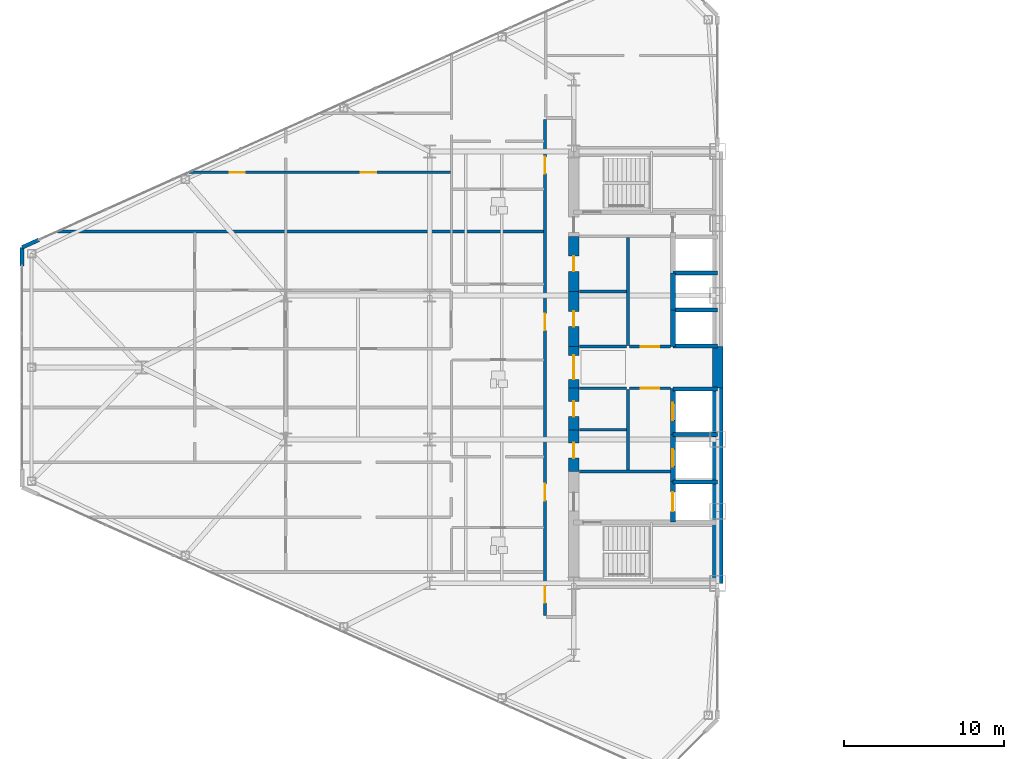
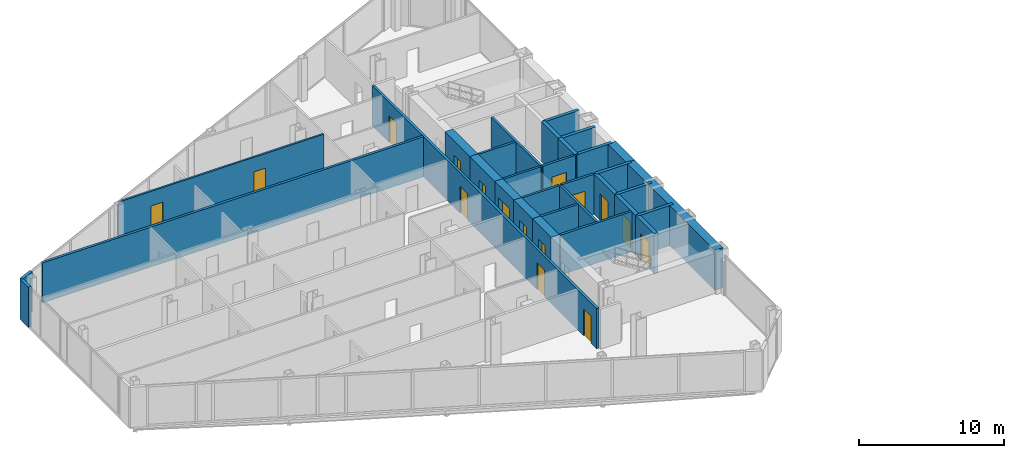
# One storey, part 20 of 27: 32 walls, 16 doors, 16 openings.
"""IFC4 building model written with IfcOpenShell, lengths in metres."""

from ifc_helpers import new_model, si_unit, direction, frame, frame_2d, origin, place, context, subcontext, project, spatial, rectangle, extrude, source, transform, mapped, material, layer, layer_set, type_object, type_shapes, element, fill, save


model = new_model("IFC4")

# Units and contexts
model_context = context("Model", 3, precision=1e-05, world=origin(), true_north=direction((0.0, 1.0)))
body_context = subcontext(model_context, "Body", "Model", "MODEL_VIEW")
ifc_project = project(units=[si_unit("LENGTHUNIT", "METRE"), si_unit("AREAUNIT", "SQUARE_METRE"), si_unit("VOLUMEUNIT", "CUBIC_METRE"), si_unit("PLANEANGLEUNIT", "RADIAN"), si_unit("MASSUNIT", "GRAM", prefix="KILO")], contexts=[model_context])

# Site, building, storey
site_placement = place(None, origin())
site = spatial("IfcSite", under=ifc_project, at=site_placement, CompositionType="ELEMENT")
building_placement = place(site_placement, origin())
building = spatial("IfcBuilding", under=site, at=building_placement, Name="Seokmaru Belvedere", CompositionType="ELEMENT")
storey_placement = place(building_placement, frame((0.0, 0.0, 96.0)))
storey = spatial("IfcBuildingStorey", under=building, at=storey_placement, Name="L25", CompositionType="ELEMENT", Elevation=96.0)

# Wall, openings, doors
ifc_material_1 = material(Name="Fire-Rated Gypsum Shaftwall")
ifc_layer_1 = layer(ifc_material_1, 0.14990234375)
ifc_layer_set_1 = layer_set([ifc_layer_1], Name="Fire-Rated Gypsum Shaftwall")
wall_type_1 = type_object("IfcWallType", Name="Apartment Fire-Acoustic Room Partition 150", PredefinedType="PARTITIONING", material=ifc_layer_set_1)
wall_1_placement = place(storey_placement, frame((-60.60302734375, 12.18994140625, 0.0), z_axis=(0.0, 0.0, 1.0), x_axis=(1.0, 0.0, 0.0)))
wall_1 = element("IfcWall", 1, at=wall_1_placement, inside=storey, type_object=wall_type_1, Name="L25 Interior Partition 024", PredefinedType="PARTITIONING", context=body_context, shape_type="SweptSolid", body=[
    extrude(rectangle(XDim=16.403076171875, YDim=0.14990234375, at=frame_2d((8.20166015625, 0.0))), origin(), (0.0, 0.0, 1.0), 3.3798828125),
])
opening_1_placement = place(wall_1_placement, frame((10.802978515625, 0.0, 0.0)))
opening_1 = element("IfcOpeningElement", 2, at=opening_1_placement, cuts=wall_1, Name="Opening D05", PredefinedType="OPENING", context=body_context, shape_type="SweptSolid", body=[
    extrude(rectangle(XDim=0.949951171875, YDim=2.14990234375, at=frame_2d((0.47509765625, 1.074951171875))), frame((0.0, 0.0849609375, 0.0), z_axis=(0.0, -1.0, 0.0), x_axis=(1.0, 0.0, 0.0)), (0.0, 0.0, 1.0), 0.169921875),
])
opening_2_placement = place(wall_1_placement, frame((2.59375, 0.0, 0.0)))
opening_2 = element("IfcOpeningElement", 3, at=opening_2_placement, cuts=wall_1, Name="Opening D05", PredefinedType="OPENING", context=body_context, shape_type="SweptSolid", body=[
    extrude(rectangle(XDim=0.949951171875, YDim=2.14990234375, at=frame_2d((0.47509765625, 1.074951171875))), frame((0.0, 0.0849609375, 0.0), z_axis=(0.0, -1.0, 0.0), x_axis=(1.0, 0.0, 0.0)), (0.0, 0.0, 1.0), 0.169921875),
])
ifc_material_2 = material(Name="Engineered White Oak Timber", Category="wood")
door_type_1 = type_object("IfcDoorType", Name="Apartment Interior Fire-Rated Oak Door 950x2150", OperationType="NOTDEFINED", PredefinedType="DOOR", material=ifc_material_2)
shared_shape_1 = source(origin(), body_context, "Body", "SweptSolid", [
    extrude(rectangle(XDim=0.949951171875, YDim=2.14990234375, at=frame_2d((0.47509765625, 1.074951171875))), frame((0.0, 0.02490234375, 0.0), z_axis=(0.0, -1.0, 0.0), x_axis=(1.0, 0.0, 0.0)), (0.0, 0.0, 1.0), 0.050048828125),
])
type_shapes(door_type_1, [shared_shape_1])
door_1_placement = place(opening_1_placement, origin())
door_1 = element("IfcDoor", 4, at=door_1_placement, inside=storey, type_object=door_type_1, Name="L25 Interior Door 029", OperationType="SINGLE_SWING_RIGHT", OverallHeight=2.14990234375, OverallWidth=0.949951171875, PredefinedType="DOOR", context=body_context, shape_type="MappedRepresentation", body=[
    mapped(shared_shape_1, transform((0.0, 0.0, 0.0), scale=1.0)),
])
fill(opening_1, door_1)
door_2_placement = place(opening_2_placement, origin())
door_2 = element("IfcDoor", 5, at=door_2_placement, inside=storey, type_object=door_type_1, Name="L25 Interior Door 031", OperationType="SINGLE_SWING_RIGHT", OverallHeight=2.14990234375, OverallWidth=0.949951171875, PredefinedType="DOOR", context=body_context, shape_type="MappedRepresentation", body=[
    mapped(shared_shape_1, transform((0.0, 0.0, 0.0), scale=1.0)),
])
fill(opening_2, door_2)

# Walls
ifc_layer_2 = layer(ifc_material_1, 0.179931640625)
ifc_layer_set_2 = layer_set([ifc_layer_2], Name="Fire-Rated Gypsum Shaftwall")
wall_type_2 = type_object("IfcWallType", Name="Core Service Fire Partition 180", PredefinedType="PARTITIONING", material=ifc_layer_set_2)
wall_2_placement = place(storey_placement, frame((-36.14990234375, -6.5, 0.0), z_axis=(0.0, 0.0, 1.0), x_axis=(1.0, 0.0, 0.0)))
element("IfcWall", 6, at=wall_2_placement, inside=storey, type_object=wall_type_2, Name="L25 West Firefighting Lobby Partition", PredefinedType="PARTITIONING", context=body_context, shape_type="SweptSolid", body=[
    extrude(rectangle(XDim=5.699951171875, YDim=0.179931640625, at=frame_2d((2.85009765625, 0.0))), origin(), (0.0, 0.0, 1.0), 3.3798828125),
])
wall_3_placement = place(storey_placement, frame((-33.10009765625, -6.419921875, 0.0), z_axis=(0.0, 0.0, 1.0), x_axis=(0.0, 1.0, 0.0)))
element("IfcWall", 7, at=wall_3_placement, inside=storey, type_object=wall_type_2, Name="L25 West South Core Service Back Wall", PredefinedType="PARTITIONING", context=body_context, shape_type="SweptSolid", body=[
    extrude(rectangle(XDim=5.0400390625, YDim=0.179931640625, at=frame_2d((2.52001953125, 0.0))), origin(), (0.0, 0.0, 1.0), 3.3798828125),
])
wall_4_placement = place(storey_placement, frame((-33.10009765625, 1.3798828125, 0.0), z_axis=(0.0, 0.0, 1.0), x_axis=(0.0, 1.0, 0.0)))
element("IfcWall", 8, at=wall_4_placement, inside=storey, type_object=wall_type_2, Name="L25 West North Core Service Back Wall", PredefinedType="PARTITIONING", context=body_context, shape_type="SweptSolid", body=[
    extrude(rectangle(XDim=6.740234375, YDim=0.179931640625, at=frame_2d((3.3701171875, 0.0))), origin(), (0.0, 0.0, 1.0), 3.3798828125),
])

# Wall, opening, door
wall_5_placement = place(storey_placement, frame((-33.02001953125, -1.300048828125, 0.0), z_axis=(0.0, 0.0, 1.0), x_axis=(1.0, 0.0, 0.0)))
wall_5 = element("IfcWall", 9, at=wall_5_placement, inside=storey, type_object=wall_type_2, Name="L25 West South Lift Lobby Foyer Wall", PredefinedType="PARTITIONING", context=body_context, shape_type="SweptSolid", body=[
    extrude(rectangle(XDim=2.570068359375, YDim=0.179931640625, at=frame_2d((1.28515625, 0.0))), origin(), (0.0, 0.0, 1.0), 3.3798828125),
])
opening_3_placement = place(wall_5_placement, frame((0.7099609375, 0.0, 0.0)))
opening_3 = element("IfcOpeningElement", 10, at=opening_3_placement, cuts=wall_5, Name="Opening D02", PredefinedType="OPENING", context=body_context, shape_type="SweptSolid", body=[
    extrude(rectangle(XDim=1.14990234375, YDim=2.199951171875, at=frame_2d((0.574951171875, 1.10009765625))), frame((0.0, 0.10009765625, 0.0), z_axis=(0.0, -1.0, 0.0), x_axis=(1.0, 0.0, 0.0)), (0.0, 0.0, 1.0), 0.199951171875),
])
ifc_material_3 = material(Name="Fire-Rated Steel Leaf", Category="steel")
door_type_2 = type_object("IfcDoorType", Name="Lobby and Vestibule Fire Door 1150x2200", OperationType="NOTDEFINED", PredefinedType="DOOR", material=ifc_material_3)
shared_shape_2 = source(origin(), body_context, "Body", "SweptSolid", [
    extrude(rectangle(XDim=1.14990234375, YDim=2.199951171875, at=frame_2d((0.574951171875, 1.10009765625))), frame((0.0, 0.02490234375, 0.0), z_axis=(0.0, -1.0, 0.0), x_axis=(1.0, 0.0, 0.0)), (0.0, 0.0, 1.0), 0.050048828125),
])
type_shapes(door_type_2, [shared_shape_2])
door_3_placement = place(opening_3_placement, origin())
door_3 = element("IfcDoor", 11, at=door_3_placement, inside=storey, type_object=door_type_2, Name="L25 West South Core Foyer Door", OperationType="SINGLE_SWING_LEFT", OverallHeight=2.199951171875, OverallWidth=1.14990234375, PredefinedType="DOOR", context=body_context, shape_type="MappedRepresentation", body=[
    mapped(shared_shape_2, transform((0.0, 0.0, 0.0), scale=1.0)),
])
fill(opening_3, door_3)

wall_6_placement = place(storey_placement, frame((-33.02001953125, 1.300048828125, 0.0), z_axis=(0.0, 0.0, 1.0), x_axis=(1.0, 0.0, 0.0)))
wall_6 = element("IfcWall", 12, at=wall_6_placement, inside=storey, type_object=wall_type_2, Name="L25 West North Lift Lobby Foyer Wall", PredefinedType="PARTITIONING", context=body_context, shape_type="SweptSolid", body=[
    extrude(rectangle(XDim=2.570068359375, YDim=0.179931640625, at=frame_2d((1.28515625, 0.0))), origin(), (0.0, 0.0, 1.0), 3.3798828125),
])
opening_4_placement = place(wall_6_placement, frame((0.7099609375, 0.0, 0.0)))
opening_4 = element("IfcOpeningElement", 13, at=opening_4_placement, cuts=wall_6, Name="Opening D02", PredefinedType="OPENING", context=body_context, shape_type="SweptSolid", body=[
    extrude(rectangle(XDim=1.14990234375, YDim=2.199951171875, at=frame_2d((0.574951171875, 1.10009765625))), frame((0.0, 0.10009765625, 0.0), z_axis=(0.0, -1.0, 0.0), x_axis=(1.0, 0.0, 0.0)), (0.0, 0.0, 1.0), 0.199951171875),
])
door_4_placement = place(opening_4_placement, origin())
door_4 = element("IfcDoor", 14, at=door_4_placement, inside=storey, type_object=door_type_2, Name="L25 West North Lift Lobby Door", OperationType="SINGLE_SWING_RIGHT", OverallHeight=2.199951171875, OverallWidth=1.14990234375, PredefinedType="DOOR", context=body_context, shape_type="MappedRepresentation", body=[
    mapped(shared_shape_2, transform((0.0, 0.0, 0.0), scale=1.0)),
])
fill(opening_4, door_4)

# Walls
for number, where, z_axis, x_axis, name in (
    (15, (-36.14990234375, -1.300048828125, 0.0), (0.0, 0.0, 1.0), (1.0, 0.0, 0.0), "L25 West Foyer Side Wall S"),
    (16, (-36.14990234375, 1.300048828125, 0.0), (0.0, 0.0, 1.0), (1.0, 0.0, 0.0), "L25 West Foyer Side Wall N"),
    (17, (-36.14990234375, -3.89990234375, 0.0), (0.0, 0.0, 1.0), (1.0, 0.0, 0.0), "L25 West Core Service Partition 1"),
    (18, (-36.14990234375, 4.75, 0.0), (0.0, 0.0, 1.0), (1.0, 0.0, 0.0), "L25 West Core Service Partition 2"),
):
    element("IfcWall", number, at=place(storey_placement, frame(where, z_axis=z_axis, x_axis=x_axis)), inside=storey, type_object=wall_type_2, Name=name, PredefinedType="PARTITIONING", context=body_context, shape_type="SweptSolid", body=[
        extrude(rectangle(XDim=2.949951171875, YDim=0.179931640625, at=frame_2d((1.47509765625, 0.0))), origin(), (0.0, 0.0, 1.0), 3.3798828125),
    ])
ifc_material_4 = material(Name="Concrete C50 (50 MPa)", Category="concrete")
ifc_layer_3 = layer(ifc_material_4, 0.25)
ifc_layer_set_3 = layer_set([ifc_layer_3], Name="Concrete C50 (50 MPa)")
wall_type_3 = type_object("IfcWallType", Name="Hoistway Transverse Concrete Divider Wall 250", PredefinedType="SHEAR", material=ifc_layer_set_3)
for number, where, z_axis, x_axis, name in (
    (19, (-30.300048828125, -7.14990234375, 0.0), (0.0, 0.0, 1.0), (1.0, 0.0, 0.0), "L25 West Hoistway Divider Core Wall 1"),
    (20, (-30.300048828125, -4.199951171875, 0.0), (0.0, 0.0, 1.0), (1.0, 0.0, 0.0), "L25 West Hoistway Divider Core Wall 2"),
    (21, (-30.300048828125, -1.35009765625, 0.0), (0.0, 0.0, 1.0), (1.0, 0.0, 0.0), "L25 West Hoistway Divider Core Wall 3"),
    (22, (-30.300048828125, 1.35009765625, 0.0), (0.0, 0.0, 1.0), (1.0, 0.0, 0.0), "L25 West Hoistway Divider Core Wall 4"),
    (23, (-30.300048828125, 3.60009765625, 0.0), (0.0, 0.0, 1.0), (1.0, 0.0, 0.0), "L25 West Hoistway Divider Core Wall 5"),
    (24, (-30.300048828125, 5.89990234375, 0.0), (0.0, 0.0, 1.0), (1.0, 0.0, 0.0), "L25 West Hoistway Divider Core Wall 6"),
):
    element("IfcWall", number, at=place(storey_placement, frame(where, z_axis=z_axis, x_axis=x_axis)), inside=storey, type_object=wall_type_3, Name=name, PredefinedType="SHEAR", context=body_context, shape_type="SweptSolid", body=[
        extrude(rectangle(XDim=2.800048828125, YDim=0.25, at=frame_2d((1.39990234375, 0.0))), origin(), (0.0, 0.0, 1.0), 3.3798828125),
    ])
ifc_layer_4 = layer(ifc_material_1, 0.199951171875)
ifc_layer_set_4 = layer_set([ifc_layer_4], Name="Fire-Rated Gypsum Shaftwall")
wall_type_4 = type_object("IfcWallType", Name="Inter-Tenancy Fire Compartment Partition 200", PredefinedType="PARTITIONING", material=ifc_layer_set_4)
wall_7_placement = place(storey_placement, frame((-68.7900390625, 8.5, 0.0), z_axis=(0.0, 0.0, 1.0), x_axis=(1.0, 0.0, 0.0)))
element("IfcWall", 25, at=wall_7_placement, inside=storey, type_object=wall_type_4, Name="L25 Interior Partition 021", PredefinedType="PARTITIONING", context=body_context, shape_type="SweptSolid", body=[
    extrude(rectangle(XDim=30.41015625, YDim=0.199951171875, at=frame_2d((15.205078125, 0.0))), origin(), (0.0, 0.0, 1.0), 3.3798828125),
])

# Wall, openings, doors
wall_8_placement = place(storey_placement, frame((-38.300048828125, -15.514892578125, 0.0), z_axis=(0.0, 0.0, 1.0), x_axis=(0.0, 1.0, 0.0)))
wall_8 = element("IfcWall", 26, at=wall_8_placement, inside=storey, type_object=wall_type_4, Name="L25 Interior Partition 039", PredefinedType="PARTITIONING", context=body_context, shape_type="SweptSolid", body=[
    extrude(rectangle(XDim=31.02978515625, YDim=0.199951171875, at=frame_2d((15.514892578125, 0.0))), origin(), (0.0, 0.0, 1.0), 3.3798828125),
])
opening_5_placement = place(wall_8_placement, frame((0.7900390625, 0.0, 0.0)))
opening_5 = element("IfcOpeningElement", 27, at=opening_5_placement, cuts=wall_8, Name="Opening D03", PredefinedType="OPENING", context=body_context, shape_type="SweptSolid", body=[
    extrude(rectangle(XDim=1.050048828125, YDim=2.25, at=frame_2d((0.52490234375, 1.125))), frame((0.0, 0.10986328125, 0.0), z_axis=(0.0, -1.0, 0.0), x_axis=(1.0, 0.0, 0.0)), (0.0, 0.0, 1.0), 0.219970703125),
])
opening_6_placement = place(wall_8_placement, frame((7.185546875, 0.0, 0.0)))
opening_6 = element("IfcOpeningElement", 28, at=opening_6_placement, cuts=wall_8, Name="Opening D03", PredefinedType="OPENING", context=body_context, shape_type="SweptSolid", body=[
    extrude(rectangle(XDim=1.050048828125, YDim=2.25, at=frame_2d((0.52490234375, 1.125))), frame((0.0, 0.10986328125, 0.0), z_axis=(0.0, -1.0, 0.0), x_axis=(1.0, 0.0, 0.0)), (0.0, 0.0, 1.0), 0.219970703125),
])
opening_7_placement = place(wall_8_placement, frame((17.824951171875, 0.0, 0.0)))
opening_7 = element("IfcOpeningElement", 29, at=opening_7_placement, cuts=wall_8, Name="Opening D03", PredefinedType="OPENING", context=body_context, shape_type="SweptSolid", body=[
    extrude(rectangle(XDim=1.050048828125, YDim=2.25, at=frame_2d((0.52490234375, 1.125))), frame((0.0, 0.10986328125, 0.0), z_axis=(0.0, -1.0, 0.0), x_axis=(1.0, 0.0, 0.0)), (0.0, 0.0, 1.0), 0.219970703125),
])
opening_8_placement = place(wall_8_placement, frame((27.635009765625, 0.0, 0.0)))
opening_8 = element("IfcOpeningElement", 30, at=opening_8_placement, cuts=wall_8, Name="Opening D03", PredefinedType="OPENING", context=body_context, shape_type="SweptSolid", body=[
    extrude(rectangle(XDim=1.050048828125, YDim=2.25, at=frame_2d((0.52490234375, 1.125))), frame((0.0, 0.10986328125, 0.0), z_axis=(0.0, -1.0, 0.0), x_axis=(1.0, 0.0, 0.0)), (0.0, 0.0, 1.0), 0.219970703125),
])
door_type_3 = type_object("IfcDoorType", Name="Apartment Entrance Fire Door 1050x2250", OperationType="NOTDEFINED", PredefinedType="DOOR", material=ifc_material_3)
shared_shape_3 = source(origin(), body_context, "Body", "SweptSolid", [
    extrude(rectangle(XDim=1.050048828125, YDim=2.25, at=frame_2d((0.52490234375, 1.125))), frame((0.0, 0.02490234375, 0.0), z_axis=(0.0, -1.0, 0.0), x_axis=(1.0, 0.0, 0.0)), (0.0, 0.0, 1.0), 0.050048828125),
])
type_shapes(door_type_3, [shared_shape_3])
door_5_placement = place(opening_5_placement, origin())
door_5 = element("IfcDoor", 31, at=door_5_placement, inside=storey, type_object=door_type_3, Name="L25 Interior Door 001", OperationType="SINGLE_SWING_RIGHT", OverallHeight=2.25, OverallWidth=1.050048828125, PredefinedType="DOOR", context=body_context, shape_type="MappedRepresentation", body=[
    mapped(shared_shape_3, transform((0.0, 0.0, 0.0), scale=1.0)),
])
fill(opening_5, door_5)
door_6_placement = place(opening_6_placement, origin())
door_6 = element("IfcDoor", 32, at=door_6_placement, inside=storey, type_object=door_type_3, Name="L25 Interior Door 002", OperationType="SINGLE_SWING_LEFT", OverallHeight=2.25, OverallWidth=1.050048828125, PredefinedType="DOOR", context=body_context, shape_type="MappedRepresentation", body=[
    mapped(shared_shape_3, transform((0.0, 0.0, 0.0), scale=1.0)),
])
fill(opening_6, door_6)
door_7_placement = place(opening_7_placement, origin())
door_7 = element("IfcDoor", 33, at=door_7_placement, inside=storey, type_object=door_type_3, Name="L25 Interior Door 012", OperationType="SINGLE_SWING_RIGHT", OverallHeight=2.25, OverallWidth=1.050048828125, PredefinedType="DOOR", context=body_context, shape_type="MappedRepresentation", body=[
    mapped(shared_shape_3, transform((0.0, 0.0, 0.0), scale=1.0)),
])
fill(opening_7, door_7)
door_8_placement = place(opening_8_placement, origin())
door_8 = element("IfcDoor", 34, at=door_8_placement, inside=storey, type_object=door_type_3, Name="L25 Interior Door 024", OperationType="SINGLE_SWING_LEFT", OverallHeight=2.25, OverallWidth=1.050048828125, PredefinedType="DOOR", context=body_context, shape_type="MappedRepresentation", body=[
    mapped(shared_shape_3, transform((0.0, 0.0, 0.0), scale=1.0)),
])
fill(opening_8, door_8)

# Wall, opening, door
ifc_layer_5 = layer(ifc_material_4, 0.300048828125)
ifc_layer_set_5 = layer_set([ifc_layer_5], Name="Concrete C50 (50 MPa)")
wall_type_5 = type_object("IfcWallType", Name="Internal Core Stair and Hoistway Wall 300", PredefinedType="SHEAR", material=ifc_layer_set_5)
wall_9_placement = place(storey_placement, frame((-30.300048828125, -9.679931640625, 0.0), z_axis=(0.0, 0.0, 1.0), x_axis=(0.0, 1.0, 0.0)))
wall_9 = element("IfcWall", 35, at=wall_9_placement, inside=storey, type_object=wall_type_5, Name="L25 West Firefighting Lift Shaft Front Wall", PredefinedType="SHEAR", context=body_context, shape_type="SweptSolid", body=[
    extrude(rectangle(XDim=2.559814453125, YDim=0.300048828125, at=frame_2d((1.27978515625, 0.0))), origin(), (0.0, 0.0, 1.0), 3.3798828125),
])
opening_9_placement = place(wall_9_placement, frame((0.679931640625, 0.0, 0.0)))
opening_9 = element("IfcOpeningElement", 36, at=opening_9_placement, cuts=wall_9, Name="Opening LD2", PredefinedType="OPENING", context=body_context, shape_type="SweptSolid", body=[
    extrude(rectangle(XDim=1.199951171875, YDim=2.25, at=frame_2d((0.60009765625, 1.125))), frame((0.0, 0.16015625, 0.0), z_axis=(0.0, -1.0, 0.0), x_axis=(1.0, 0.0, 0.0)), (0.0, 0.0, 1.0), 0.320068359375),
])
ifc_material_5 = material(Name="Stainless Steel 316", Category="steel")
door_type_4 = type_object("IfcDoorType", Name="Firefighting Lift Sliding Landing Door 1200x2250", OperationType="DOUBLE_DOOR_SLIDING", PredefinedType="DOOR", material=ifc_material_5)
shared_shape_4 = source(origin(), body_context, "Body", "SweptSolid", [
    extrude(rectangle(XDim=1.199951171875, YDim=2.25, at=frame_2d((0.60009765625, 1.125))), frame((0.0, 0.02490234375, 0.0), z_axis=(0.0, -1.0, 0.0), x_axis=(1.0, 0.0, 0.0)), (0.0, 0.0, 1.0), 0.050048828125),
])
type_shapes(door_type_4, [shared_shape_4])
door_9_placement = place(opening_9_placement, origin())
door_9 = element("IfcDoor", 37, at=door_9_placement, inside=storey, type_object=door_type_4, Name="L25 West Firefighting Lift Landing Door", OperationType="DOUBLE_DOOR_SLIDING", OverallHeight=2.25, OverallWidth=1.199951171875, PredefinedType="DOOR", context=body_context, shape_type="MappedRepresentation", body=[
    mapped(shared_shape_4, transform((0.0, 0.0, 0.0), scale=1.0)),
])
fill(opening_9, door_9)

wall_10_placement = place(storey_placement, frame((-30.300048828125, -7.1201171875, 0.0), z_axis=(0.0, 0.0, 1.0), x_axis=(0.0, 1.0, 0.0)))
wall_10 = element("IfcWall", 38, at=wall_10_placement, inside=storey, type_object=wall_type_5, Name="L25 West Low-Rise Lift PL-1 Front Wall", PredefinedType="SHEAR", context=body_context, shape_type="SweptSolid", body=[
    extrude(rectangle(XDim=2.920166015625, YDim=0.300048828125, at=frame_2d((1.4599609375, 0.0))), origin(), (0.0, 0.0, 1.0), 3.3798828125),
])
opening_10_placement = place(wall_10_placement, frame((0.909912109375, 0.0, 0.0)))
opening_10 = element("IfcOpeningElement", 39, at=opening_10_placement, cuts=wall_10, Name="Opening LD1", PredefinedType="OPENING", context=body_context, shape_type="SweptSolid", body=[
    extrude(rectangle(XDim=1.10009765625, YDim=2.199951171875, at=frame_2d((0.550048828125, 1.10009765625))), frame((0.0, 0.16015625, 0.0), z_axis=(0.0, -1.0, 0.0), x_axis=(1.0, 0.0, 0.0)), (0.0, 0.0, 1.0), 0.320068359375),
])
door_type_5 = type_object("IfcDoorType", Name="Passenger Lift Sliding Landing Door 1100x2200", OperationType="DOUBLE_DOOR_SLIDING", PredefinedType="DOOR", material=ifc_material_5)
shared_shape_5 = source(origin(), body_context, "Body", "SweptSolid", [
    extrude(rectangle(XDim=1.10009765625, YDim=2.199951171875, at=frame_2d((0.550048828125, 1.10009765625))), frame((0.0, 0.02490234375, 0.0), z_axis=(0.0, -1.0, 0.0), x_axis=(1.0, 0.0, 0.0)), (0.0, 0.0, 1.0), 0.050048828125),
])
type_shapes(door_type_5, [shared_shape_5])
door_10_placement = place(opening_10_placement, origin())
door_10 = element("IfcDoor", 40, at=door_10_placement, inside=storey, type_object=door_type_5, Name="L25 West Low-Rise Lift PL-1 Landing Door", OperationType="DOUBLE_DOOR_SLIDING", OverallHeight=2.199951171875, OverallWidth=1.10009765625, PredefinedType="DOOR", context=body_context, shape_type="MappedRepresentation", body=[
    mapped(shared_shape_5, transform((0.0, 0.0, 0.0), scale=1.0)),
])
fill(opening_10, door_10)

wall_11_placement = place(storey_placement, frame((-30.300048828125, -4.199951171875, 0.0), z_axis=(0.0, 0.0, 1.0), x_axis=(0.0, 1.0, 0.0)))
wall_11 = element("IfcWall", 41, at=wall_11_placement, inside=storey, type_object=wall_type_5, Name="L25 West Low-Rise Lift PL-2 Front Wall", PredefinedType="SHEAR", context=body_context, shape_type="SweptSolid", body=[
    extrude(rectangle(XDim=2.8798828125, YDim=0.300048828125, at=frame_2d((1.43994140625, 0.0))), origin(), (0.0, 0.0, 1.0), 3.3798828125),
])
opening_11_placement = place(wall_11_placement, frame((0.889892578125, 0.0, 0.0)))
opening_11 = element("IfcOpeningElement", 42, at=opening_11_placement, cuts=wall_11, Name="Opening LD1", PredefinedType="OPENING", context=body_context, shape_type="SweptSolid", body=[
    extrude(rectangle(XDim=1.10009765625, YDim=2.199951171875, at=frame_2d((0.550048828125, 1.10009765625))), frame((0.0, 0.16015625, 0.0), z_axis=(0.0, -1.0, 0.0), x_axis=(1.0, 0.0, 0.0)), (0.0, 0.0, 1.0), 0.320068359375),
])
door_11_placement = place(opening_11_placement, origin())
door_11 = element("IfcDoor", 43, at=door_11_placement, inside=storey, type_object=door_type_5, Name="L25 West Low-Rise Lift PL-2 Landing Door", OperationType="DOUBLE_DOOR_SLIDING", OverallHeight=2.199951171875, OverallWidth=1.10009765625, PredefinedType="DOOR", context=body_context, shape_type="MappedRepresentation", body=[
    mapped(shared_shape_5, transform((0.0, 0.0, 0.0), scale=1.0)),
])
fill(opening_11, door_11)

# Walls
wall_12_placement = place(storey_placement, frame((-30.300048828125, 1.320068359375, 0.0), z_axis=(0.0, 0.0, 1.0), x_axis=(0.0, 1.0, 0.0)))
element("IfcWall", 44, at=wall_12_placement, inside=storey, type_object=wall_type_5, Name="L25 West North Hoistway Wall PH1", PredefinedType="SHEAR", context=body_context, shape_type="SweptSolid", body=[
    extrude(rectangle(XDim=2.280029296875, YDim=0.300048828125, at=frame_2d((1.14013671875, 0.0))), origin(), (0.0, 0.0, 1.0), 3.3798828125),
])
wall_13_placement = place(storey_placement, frame((-30.300048828125, 3.60009765625, 0.0), z_axis=(0.0, 0.0, 1.0), x_axis=(0.0, 1.0, 0.0)))
element("IfcWall", 45, at=wall_13_placement, inside=storey, type_object=wall_type_5, Name="L25 West North Hoistway Wall PH2", PredefinedType="SHEAR", context=body_context, shape_type="SweptSolid", body=[
    extrude(rectangle(XDim=2.2998046875, YDim=0.300048828125, at=frame_2d((1.14990234375, 0.0))), origin(), (0.0, 0.0, 1.0), 3.3798828125),
])
ifc_material_6 = material(Name="Concrete C60 (60 MPa)", Category="concrete")
ifc_layer_6 = layer(ifc_material_6, 0.64990234375)
ifc_layer_set_6 = layer_set([ifc_layer_6], Name="Concrete C60 (60 MPa)")
wall_type_6 = type_object("IfcWallType", Name="Mid-Low Reinforced Concrete Core Wall 650", PredefinedType="SHEAR", material=ifc_layer_set_6)
wall_14_placement = place(storey_placement, frame((-27.5, -13.5, 0.0), z_axis=(0.0, 0.0, 1.0), x_axis=(0.0, 1.0, 0.0)))
element("IfcWall", 46, at=wall_14_placement, inside=storey, type_object=wall_type_6, Name="L25 West Portal Spine Core Wall South", PredefinedType="SHEAR", context=body_context, shape_type="SweptSolid", body=[
    extrude(rectangle(XDim=12.199951171875, YDim=0.64990234375, at=frame_2d((6.10009765625, 0.0))), origin(), (0.0, 0.0, 1.0), 3.3798828125),
])
wall_15_placement = place(storey_placement, frame((-27.5, -1.300048828125, 0.0), z_axis=(0.0, 0.0, 1.0), x_axis=(0.0, 1.0, 0.0)))
element("IfcWall", 47, at=wall_15_placement, inside=storey, type_object=wall_type_6, Name="L25 West Portal Spine Core Wall Center", PredefinedType="SHEAR", context=body_context, shape_type="SweptSolid", body=[
    extrude(rectangle(XDim=2.60009765625, YDim=0.64990234375, at=frame_2d((1.300048828125, 0.0))), origin(), (0.0, 0.0, 1.0), 3.3798828125),
])

# Wall, opening, door
wall_16_placement = place(storey_placement, frame((-36.5, -1.300048828125, 0.0), z_axis=(0.0, 0.0, 1.0), x_axis=(0.0, 1.0, 0.0)))
wall_16 = element("IfcWall", 48, at=wall_16_placement, inside=storey, type_object=wall_type_6, Name="L25 West West Core Wall FOY", PredefinedType="SHEAR", context=body_context, shape_type="SweptSolid", body=[
    extrude(rectangle(XDim=2.60009765625, YDim=0.64990234375, at=frame_2d((1.300048828125, 0.0))), origin(), (0.0, 0.0, 1.0), 3.3798828125),
])
opening_12_placement = place(wall_16_placement, frame((0.550048828125, 0.0, 0.0)))
opening_12 = element("IfcOpeningElement", 49, at=opening_12_placement, cuts=wall_16, Name="Opening D08", PredefinedType="OPENING", context=body_context, shape_type="SweptSolid", body=[
    extrude(rectangle(XDim=1.5, YDim=2.300048828125, at=frame_2d((0.75, 1.14990234375))), frame((0.0, 0.3349609375, 0.0), z_axis=(0.0, -1.0, 0.0), x_axis=(1.0, 0.0, 0.0)), (0.0, 0.0, 1.0), 0.669921875),
])
door_type_6 = type_object("IfcDoorType", Name="Cross-Corridor Compartment Double Fire Door 1500x2300", OperationType="DOUBLE_SWING_LEFT", PredefinedType="DOOR", material=ifc_material_3)
shared_shape_6 = source(origin(), body_context, "Body", "SweptSolid", [
    extrude(rectangle(XDim=1.5, YDim=2.300048828125, at=frame_2d((0.75, 1.14990234375))), frame((0.0, 0.02490234375, 0.0), z_axis=(0.0, -1.0, 0.0), x_axis=(1.0, 0.0, 0.0)), (0.0, 0.0, 1.0), 0.050048828125),
])
type_shapes(door_type_6, [shared_shape_6])
door_12_placement = place(opening_12_placement, origin())
door_12 = element("IfcDoor", 50, at=door_12_placement, inside=storey, type_object=door_type_6, Name="L25 West Core Foyer Compartment Door", OperationType="DOUBLE_SWING_LEFT", OverallHeight=2.300048828125, OverallWidth=1.5, PredefinedType="DOOR", context=body_context, shape_type="MappedRepresentation", body=[
    mapped(shared_shape_6, transform((0.0, 0.0, 0.0), scale=1.0)),
])
fill(opening_12, door_12)

wall_17_placement = place(storey_placement, frame((-36.5, -6.5, 0.0), z_axis=(0.0, 0.0, 1.0), x_axis=(0.0, 1.0, 0.0)))
wall_17 = element("IfcWall", 51, at=wall_17_placement, inside=storey, type_object=wall_type_6, Name="L25 West West Core Wall CS1", PredefinedType="SHEAR", context=body_context, shape_type="SweptSolid", body=[
    extrude(rectangle(XDim=2.60009765625, YDim=0.64990234375, at=frame_2d((1.300048828125, 0.0))), origin(), (0.0, 0.0, 1.0), 3.3798828125),
])
opening_13_placement = place(wall_17_placement, frame((0.824951171875, 0.0, 0.0)))
opening_13 = element("IfcOpeningElement", 52, at=opening_13_placement, cuts=wall_17, Name="Opening D04", PredefinedType="OPENING", context=body_context, shape_type="SweptSolid", body=[
    extrude(rectangle(XDim=0.949951171875, YDim=2.14990234375, at=frame_2d((0.47509765625, 1.074951171875))), frame((0.0, 0.3349609375, 0.0), z_axis=(0.0, -1.0, 0.0), x_axis=(1.0, 0.0, 0.0)), (0.0, 0.0, 1.0), 0.669921875),
])
door_type_7 = type_object("IfcDoorType", Name="Core Service Room Fire Door 950x2150", OperationType="NOTDEFINED", PredefinedType="DOOR", material=ifc_material_3)
shared_shape_7 = source(origin(), body_context, "Body", "SweptSolid", [
    extrude(rectangle(XDim=0.949951171875, YDim=2.14990234375, at=frame_2d((0.47509765625, 1.074951171875))), frame((0.0, 0.02490234375, 0.0), z_axis=(0.0, -1.0, 0.0), x_axis=(1.0, 0.0, 0.0)), (0.0, 0.0, 1.0), 0.050048828125),
])
type_shapes(door_type_7, [shared_shape_7])
door_13_placement = place(opening_13_placement, origin())
door_13 = element("IfcDoor", 53, at=door_13_placement, inside=storey, type_object=door_type_7, Name="L25 West Core Service Room Door 1", OperationType="SINGLE_SWING_LEFT", OverallHeight=2.14990234375, OverallWidth=0.949951171875, PredefinedType="DOOR", context=body_context, shape_type="MappedRepresentation", body=[
    mapped(shared_shape_7, transform((0.0, 0.0, 0.0), scale=1.0)),
])
fill(opening_13, door_13)

wall_18_placement = place(storey_placement, frame((-36.5, -3.89990234375, 0.0), z_axis=(0.0, 0.0, 1.0), x_axis=(0.0, 1.0, 0.0)))
wall_18 = element("IfcWall", 54, at=wall_18_placement, inside=storey, type_object=wall_type_6, Name="L25 West West Core Wall CS2", PredefinedType="SHEAR", context=body_context, shape_type="SweptSolid", body=[
    extrude(rectangle(XDim=2.599853515625, YDim=0.64990234375, at=frame_2d((1.2998046875, 0.0))), origin(), (0.0, 0.0, 1.0), 3.3798828125),
])
opening_14_placement = place(wall_18_placement, frame((0.824951171875, 0.0, 0.0)))
opening_14 = element("IfcOpeningElement", 55, at=opening_14_placement, cuts=wall_18, Name="Opening D04", PredefinedType="OPENING", context=body_context, shape_type="SweptSolid", body=[
    extrude(rectangle(XDim=0.949951171875, YDim=2.14990234375, at=frame_2d((0.47509765625, 1.074951171875))), frame((0.0, 0.3349609375, 0.0), z_axis=(0.0, -1.0, 0.0), x_axis=(1.0, 0.0, 0.0)), (0.0, 0.0, 1.0), 0.669921875),
])
door_14_placement = place(opening_14_placement, origin())
door_14 = element("IfcDoor", 56, at=door_14_placement, inside=storey, type_object=door_type_7, Name="L25 West Core Service Room Door 2", OperationType="SINGLE_SWING_RIGHT", OverallHeight=2.14990234375, OverallWidth=0.949951171875, PredefinedType="DOOR", context=body_context, shape_type="MappedRepresentation", body=[
    mapped(shared_shape_7, transform((0.0, 0.0, 0.0), scale=1.0)),
])
fill(opening_14, door_14)

wall_19_placement = place(storey_placement, frame((-36.5, 1.300048828125, 0.0), z_axis=(0.0, 0.0, 1.0), x_axis=(0.0, 1.0, 0.0)))
wall_19 = element("IfcWall", 57, at=wall_19_placement, inside=storey, type_object=wall_type_6, Name="L25 West West Core Wall CS3", PredefinedType="SHEAR", context=body_context, shape_type="SweptSolid", body=[
    extrude(rectangle(XDim=3.449951171875, YDim=0.64990234375, at=frame_2d((1.72509765625, 0.0))), origin(), (0.0, 0.0, 1.0), 3.3798828125),
])
opening_15_placement = place(wall_19_placement, frame((1.25, 0.0, 0.0)))
opening_15 = element("IfcOpeningElement", 58, at=opening_15_placement, cuts=wall_19, Name="Opening D04", PredefinedType="OPENING", context=body_context, shape_type="SweptSolid", body=[
    extrude(rectangle(XDim=0.949951171875, YDim=2.14990234375, at=frame_2d((0.47509765625, 1.074951171875))), frame((0.0, 0.3349609375, 0.0), z_axis=(0.0, -1.0, 0.0), x_axis=(1.0, 0.0, 0.0)), (0.0, 0.0, 1.0), 0.669921875),
])
door_15_placement = place(opening_15_placement, origin())
door_15 = element("IfcDoor", 59, at=door_15_placement, inside=storey, type_object=door_type_7, Name="L25 West Core Service Room Door 3", OperationType="SINGLE_SWING_LEFT", OverallHeight=2.14990234375, OverallWidth=0.949951171875, PredefinedType="DOOR", context=body_context, shape_type="MappedRepresentation", body=[
    mapped(shared_shape_7, transform((0.0, 0.0, 0.0), scale=1.0)),
])
fill(opening_15, door_15)

wall_20_placement = place(storey_placement, frame((-36.5, 4.75, 0.0), z_axis=(0.0, 0.0, 1.0), x_axis=(0.0, 1.0, 0.0)))
wall_20 = element("IfcWall", 60, at=wall_20_placement, inside=storey, type_object=wall_type_6, Name="L25 West West Core Wall CS4", PredefinedType="SHEAR", context=body_context, shape_type="SweptSolid", body=[
    extrude(rectangle(XDim=3.449951171875, YDim=0.64990234375, at=frame_2d((1.72509765625, 0.0))), origin(), (0.0, 0.0, 1.0), 3.3798828125),
])
opening_16_placement = place(wall_20_placement, frame((1.25, 0.0, 0.0)))
opening_16 = element("IfcOpeningElement", 61, at=opening_16_placement, cuts=wall_20, Name="Opening D04", PredefinedType="OPENING", context=body_context, shape_type="SweptSolid", body=[
    extrude(rectangle(XDim=0.949951171875, YDim=2.14990234375, at=frame_2d((0.47509765625, 1.074951171875))), frame((0.0, 0.3349609375, 0.0), z_axis=(0.0, -1.0, 0.0), x_axis=(1.0, 0.0, 0.0)), (0.0, 0.0, 1.0), 0.669921875),
])
door_16_placement = place(opening_16_placement, origin())
door_16 = element("IfcDoor", 62, at=door_16_placement, inside=storey, type_object=door_type_7, Name="L25 West Core Service Room Door 4", OperationType="SINGLE_SWING_RIGHT", OverallHeight=2.14990234375, OverallWidth=0.949951171875, PredefinedType="DOOR", context=body_context, shape_type="MappedRepresentation", body=[
    mapped(shared_shape_7, transform((0.0, 0.0, 0.0), scale=1.0)),
])
fill(opening_16, door_16)

# Walls
ifc_material_7 = material(Name="Anodised Bronze Aluminium", Category="aluminium")
ifc_layer_7 = layer(ifc_material_7, 0.239990234375)
ifc_layer_set_7 = layer_set([ifc_layer_7], Name="Anodised Bronze Aluminium")
wall_type_7 = type_object("IfcWallType", Name="Tower Corner Spandrel Closure Wall 240", PredefinedType="SOLIDWALL", material=ifc_layer_set_7)
for number, where, z_axis, x_axis, name in (
    (63, (-69.951416015625, 7.971923828125, 0.0), (0.0, 0.0, 1.0), (-0.911929519623, -0.410346866979, 0.0), "L25 W Corner Closure Pier 3B"),
    (64, (-71.0, 7.489990234375, 0.0), (0.0, 0.0, 1.0), (0.0, -1.0, 0.0), "L25 W Corner Closure Pier 4A"),
):
    element("IfcWall", number, at=place(storey_placement, frame(where, z_axis=z_axis, x_axis=x_axis)), inside=storey, type_object=wall_type_7, Name=name, PredefinedType="SOLIDWALL", context=body_context, shape_type="SweptSolid", body=[
        extrude(rectangle(XDim=1.139892578125, YDim=0.239990234375, at=frame_2d((0.56982421875, 0.0))), origin(), (0.0, 0.0, 1.0), 3.3798828125),
    ])

save(model, "model.ifc")
